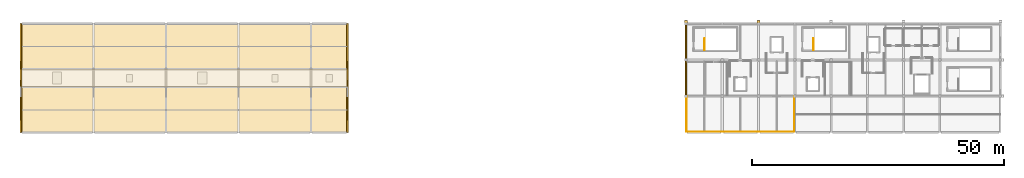
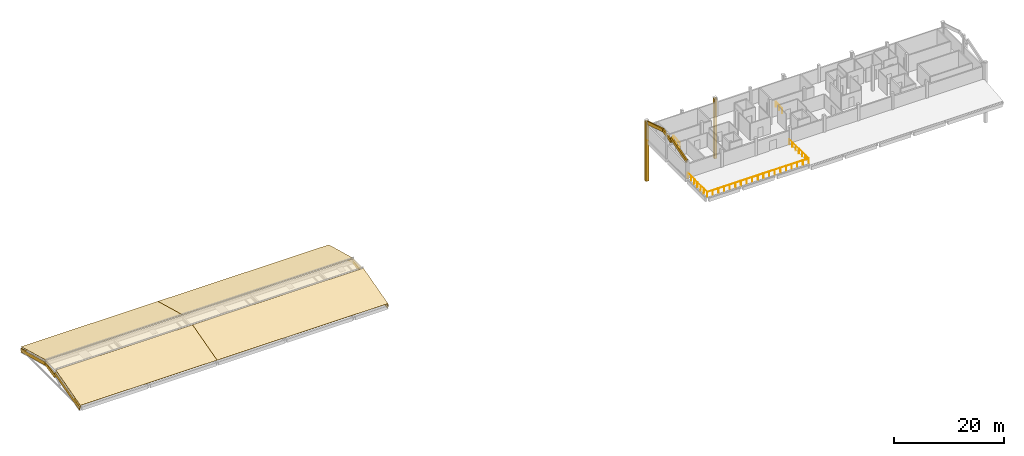
# One storey, part 7 of 8: 16 coverings, 5 railings, 2 elements without a shape of their own.
"""IFC4 building model written with IfcOpenShell, lengths in metres."""

from ifc_helpers import new_model, si_unit, direction, frame, origin, origin_2d, place, context, subcontext, project, spatial, polyline, circle, outline, extrude, material, layer, layer_set, type_object, element, aggregate, save


model = new_model("IFC4")

# Units and contexts
model_context = context("Model", 3, precision=1e-05, world=origin(), true_north=direction((0.0, 1.0)))
body_context = subcontext(model_context, "Body", "Model", "MODEL_VIEW")
ifc_project = project(units=[si_unit("LENGTHUNIT", "METRE"), si_unit("AREAUNIT", "SQUARE_METRE"), si_unit("VOLUMEUNIT", "CUBIC_METRE"), si_unit("PLANEANGLEUNIT", "RADIAN"), si_unit("MASSUNIT", "GRAM", prefix="KILO")], contexts=[model_context])

# Site, building, storey
site_placement = place(None, origin())
site = spatial("IfcSite", under=ifc_project, at=site_placement, CompositionType="ELEMENT")
building_placement = place(site_placement, origin())
building = spatial("IfcBuilding", under=site, at=building_placement, Name="Cendralis Lancet Convention Centre", CompositionType="ELEMENT")
storey_placement = place(building_placement, frame((0.0, 0.0, 24.60009765625)))
storey = spatial("IfcBuildingStorey", under=building, at=storey_placement, Name="L05", CompositionType="ELEMENT", Elevation=24.60009765625)

# Coverings
ifc_material_1 = material(Name="Warm buff sandstone chevron cassette", Category="masonry")
ifc_layer_1 = layer(ifc_material_1, 0.06005859375, Name="Warm buff sandstone chevron cassette")
ifc_layer_set_1 = layer_set([ifc_layer_1], Name="Warm buff sandstone chevron cassette")
covering_type_1 = type_object("IfcCoveringType", Name="ARC-CV-CLAD1", PredefinedType="CLADDING", material=ifc_layer_set_1)
covering_1_placement = place(storey_placement, frame((14.260009765625, 14.39990234375, -0.47998046875), z_axis=(0.0, -0.260659017614, 0.965430927895), x_axis=(1.0, 0.0, 0.0)))
element("IfcCovering", 1, at=covering_1_placement, inside=storey, type_object=covering_type_1, Name="Summit Pavilion Stone Gable Spandrel S-14", PredefinedType="CLADDING", context=body_context, shape_type="SweptSolid", body=[
    extrude(outline(polyline([(0.0, 0.0), (0.280029296875, 0.0), (0.280029296875, 9.322261945370904), (0.0, 9.322261945370904), (0.0, 0.0)])), origin(), (0.0, 0.0, -1.0), 0.75),
])
covering_2_placement = place(storey_placement, frame((14.260009765625, 23.39990234375, 1.199951171875), z_axis=(0.0, -0.203948951776, 0.978981524376), x_axis=(1.0, 0.0, 0.0)))
element("IfcCovering", 2, at=covering_2_placement, inside=storey, type_object=covering_type_1, Name="Summit Pavilion Stone Gable Spandrel M-14", PredefinedType="CLADDING", context=body_context, shape_type="SweptSolid", body=[
    extrude(outline(polyline([(0.0, 0.0), (0.280029296875, 0.0), (0.280029296875, 3.677390805249932), (0.0, 3.677390805249932), (0.0, 0.0)])), origin(), (0.0, 0.0, -1.0), 0.75),
])
for number, where, z_axis, x_axis, name in (
    (3, (14.260009765625, 27.0, 1.949951171875), (0.0, 0.260659017614, 0.965430927895), (1.0, 0.0, 0.0), "Summit Pavilion Stone Gable Spandrel N-14"),
    (4, (79.06005859375, 14.39990234375, -0.47998046875), (0.0, -0.260659017614, 0.965430927895), (1.0, 0.0, 0.0), "Summit Pavilion Stone Gable Spandrel S-79"),
):
    element("IfcCovering", number, at=place(storey_placement, frame(where, z_axis=z_axis, x_axis=x_axis)), inside=storey, type_object=covering_type_1, Name=name, PredefinedType="CLADDING", context=body_context, shape_type="SweptSolid", body=[
        extrude(outline(polyline([(0.0, 0.0), (0.280029296875, 0.0), (0.280029296875, 9.322261945370904), (0.0, 9.322261945370904), (0.0, 0.0)])), origin(), (0.0, 0.0, -1.0), 0.75),
    ])
covering_3_placement = place(storey_placement, frame((79.06005859375, 23.39990234375, 1.199951171875), z_axis=(0.0, -0.203948951776, 0.978981524376), x_axis=(1.0, 0.0, 0.0)))
element("IfcCovering", 5, at=covering_3_placement, inside=storey, type_object=covering_type_1, Name="Summit Pavilion Stone Gable Spandrel M-79", PredefinedType="CLADDING", context=body_context, shape_type="SweptSolid", body=[
    extrude(outline(polyline([(0.0, 0.0), (0.280029296875, 0.0), (0.280029296875, 3.677390805249932), (0.0, 3.677390805249932), (0.0, 0.0)])), origin(), (0.0, 0.0, -1.0), 0.75),
])
covering_4_placement = place(storey_placement, frame((79.06005859375, 27.0, 1.949951171875), z_axis=(0.0, 0.260659017614, 0.965430927895), x_axis=(1.0, 0.0, 0.0)))
element("IfcCovering", 6, at=covering_4_placement, inside=storey, type_object=covering_type_1, Name="Summit Pavilion Stone Gable Spandrel N-79", PredefinedType="CLADDING", context=body_context, shape_type="SweptSolid", body=[
    extrude(outline(polyline([(0.0, 0.0), (0.280029296875, 0.0), (0.280029296875, 9.322261945370904), (0.0, 9.322261945370904), (0.0, 0.0)])), origin(), (0.0, 0.0, -1.0), 0.75),
])
covering_5_placement = place(storey_placement, frame((146.260009765625, 21.60009765625, 3.919921875), z_axis=(0.0, -0.295031857828, 0.955487416383), x_axis=(1.0, 0.0, 0.0)))
element("IfcCovering", 7, at=covering_5_placement, inside=storey, type_object=covering_type_1, Name="Cordillera Crown Stone Gable Spandrel S-146", PredefinedType="CLADDING", context=body_context, shape_type="SweptSolid", body=[
    extrude(outline(polyline([(0.0, 0.0), (0.280029296875, 0.0), (0.280029296875, 5.965490569672753), (0.0, 5.965490569672753), (0.0, 0.0)])), origin(), (0.0, 0.0, -1.0), 0.719970703125),
])
covering_6_placement = place(storey_placement, frame((146.260009765625, 27.300048828125, 4.919921875), z_axis=(0.0, -0.245578582691, 0.969376686187), x_axis=(1.0, 0.0, 0.0)))
element("IfcCovering", 8, at=covering_6_placement, inside=storey, type_object=covering_type_1, Name="Cordillera Crown Stone Gable Spandrel M-146", PredefinedType="CLADDING", context=body_context, shape_type="SweptSolid", body=[
    extrude(outline(polyline([(0.0, 0.0), (0.280029296875, 0.0), (0.280029296875, 3.09477217963542), (0.0, 3.09477217963542), (0.0, 0.0)])), origin(), (0.0, 0.0, -1.0), 0.719970703125),
])
covering_7_placement = place(storey_placement, frame((146.260009765625, 30.300048828125, 5.679931640625), z_axis=(0.0, 0.295031857828, 0.955487416383), x_axis=(1.0, 0.0, 0.0)))
element("IfcCovering", 9, at=covering_7_placement, inside=storey, type_object=covering_type_1, Name="Cordillera Crown Stone Gable Spandrel N-146", PredefinedType="CLADDING", context=body_context, shape_type="SweptSolid", body=[
    extrude(outline(polyline([(0.0, 0.0), (0.280029296875, 0.0), (0.280029296875, 5.965490569672753), (0.0, 5.965490569672753), (0.0, 0.0)])), origin(), (0.0, 0.0, -1.0), 0.719970703125),
])
covering_8_placement = place(storey_placement, frame((0.0, 0.0, -9.60009765625)))
element("IfcCovering", 10, at=covering_8_placement, inside=storey, type_object=covering_type_1, Name="Gothic Stepped Stone Buttress Shaft #0081", PredefinedType="CLADDING", context=body_context, shape_type="SweptSolid", body=[
    extrude(outline(polyline([(146.679931640625, 36.659912109375), (146.1201171875, 36.659912109375), (146.1201171875, 36.1298828125), (146.679931640625, 36.1298828125), (146.679931640625, 36.659912109375)])), origin(), (0.0, 0.0, 1.0), 13.35009765625),
])
covering_9_placement = place(storey_placement, frame((0.0, 0.0, -9.60009765625)))
element("IfcCovering", 11, at=covering_9_placement, inside=storey, type_object=covering_type_1, Name="Gothic Stepped Stone Buttress Shaft #0082", PredefinedType="CLADDING", context=body_context, shape_type="SweptSolid", body=[
    extrude(outline(polyline([(161.080078125, 36.659912109375), (160.52001953125, 36.659912109375), (160.52001953125, 36.1298828125), (161.080078125, 36.1298828125), (161.080078125, 36.659912109375)])), origin(), (0.0, 0.0, 1.0), 13.35009765625),
])
ifc_material_2 = material(Name="Elastomeric waterproof roof membrane")
ifc_layer_2 = layer(ifc_material_2, 0.050048828125, Name="Elastomeric waterproof roof membrane")
ifc_layer_set_2 = layer_set([ifc_layer_2], Name="Elastomeric waterproof roof membrane")
covering_type_2 = type_object("IfcCoveringType", Name="ARC-CV-MEMB", PredefinedType="ROOFING", material=ifc_layer_set_2)
covering_10_placement = place(storey_placement, frame((0.0, 0.0, 2.199951171875)))
element("IfcCovering", 12, at=covering_10_placement, inside=storey, type_object=covering_type_2, Name="L05 Elastomeric Roof Membrane V4TOP", PredefinedType="ROOFING", context=body_context, shape_type="SweptSolid", body=[
    extrude(outline(polyline([(14.39990234375, 23.39990234375), (79.199951171875, 23.39990234375), (79.199951171875, 27.0), (14.39990234375, 27.0), (14.39990234375, 23.39990234375)])), origin(), (0.0, 0.0, 1.0), 0.0400390625),
])

# Roof, coverings
ifc_material_3 = material(Name="Patinated standing-seam zinc roofing")
ifc_layer_3 = layer(ifc_material_3, 0.139892578125, Name="Patinated standing-seam zinc roofing")
ifc_layer_set_3 = layer_set([ifc_layer_3], Name="Patinated standing-seam zinc roofing")
roof_type = type_object("IfcRoofType", Name="ARC-RF-HIP", PredefinedType="HIP_ROOF", material=ifc_layer_set_3)
roof_1_placement = place(storey_placement, origin())
roof_1 = element("IfcRoof", 13, at=roof_1_placement, inside=storey, type_object=roof_type, Name="Summit Pavilion Gothic Pitched Zinc Roof #01", PredefinedType="HIP_ROOF")
ifc_layer_4 = layer(ifc_material_3, 0.0400390625, Name="Patinated standing-seam zinc roofing")
ifc_layer_set_4 = layer_set([ifc_layer_4], Name="Patinated standing-seam zinc roofing")
covering_type_3 = type_object("IfcCoveringType", Name="ARC-CV-ZINC", PredefinedType="ROOFING", material=ifc_layer_set_4)
covering_11_placement = place(storey_placement, frame((14.39990234375, 14.39990234375, -0.12353515625), z_axis=(0.0, -0.263203959099, 0.964740211619), x_axis=(1.0, 0.0, 0.0)))
covering_11 = element("IfcCovering", 14, at=covering_11_placement, type_object=covering_type_3, Name="Summit Pavilion Standing-Seam Zinc Roofing 01-S", PredefinedType="ROOFING", context=body_context, shape_type="SweptSolid", body=[
    extrude(outline(polyline([(0.0, 0.0), (28.800048828125, 0.0), (28.800048828125, 9.308185105792813), (0.0, 9.308185105792813), (0.0, 0.0)])), origin(), (0.0, 0.0, -1.0), 0.0400390625),
])
covering_12_placement = place(storey_placement, frame((14.39990234375, 27.02001953125, 2.326416015625), z_axis=(0.0, 0.263203959099, 0.964740211619), x_axis=(1.0, 0.0, 0.0)))
covering_12 = element("IfcCovering", 15, at=covering_12_placement, type_object=covering_type_3, Name="Summit Pavilion Standing-Seam Zinc Roofing 01-N", PredefinedType="ROOFING", context=body_context, shape_type="SweptSolid", body=[
    extrude(outline(polyline([(0.0, 0.0), (28.800048828125, 0.0), (28.800048828125, 9.308185105792813), (0.0, 9.308185105792813), (0.0, 0.0)])), origin(), (0.0, 0.0, -1.0), 0.0400390625),
])
aggregate(roof_1, [covering_11, covering_12])

roof_2_placement = place(storey_placement, origin())
roof_2 = element("IfcRoof", 16, at=roof_2_placement, inside=storey, type_object=roof_type, Name="Summit Pavilion Gothic Pitched Zinc Roof #02", PredefinedType="HIP_ROOF")
covering_13_placement = place(storey_placement, frame((43.199951171875, 14.39990234375, -0.12353515625), z_axis=(0.0, -0.263203959099, 0.964740211619), x_axis=(1.0, 0.0, 0.0)))
covering_13 = element("IfcCovering", 17, at=covering_13_placement, type_object=covering_type_3, Name="Summit Pavilion Standing-Seam Zinc Roofing 02-S", PredefinedType="ROOFING", context=body_context, shape_type="SweptSolid", body=[
    extrude(outline(polyline([(0.0, 0.0), (36.0, 0.0), (36.0, 9.308185105792813), (0.0, 9.308185105792813), (0.0, 0.0)])), origin(), (0.0, 0.0, -1.0), 0.0400390625),
])
covering_14_placement = place(storey_placement, frame((43.199951171875, 27.02001953125, 2.326416015625), z_axis=(0.0, 0.263203959099, 0.964740211619), x_axis=(1.0, 0.0, 0.0)))
covering_14 = element("IfcCovering", 18, at=covering_14_placement, type_object=covering_type_3, Name="Summit Pavilion Standing-Seam Zinc Roofing 02-N", PredefinedType="ROOFING", context=body_context, shape_type="SweptSolid", body=[
    extrude(outline(polyline([(0.0, 0.0), (36.0, 0.0), (36.0, 9.308185105792813), (0.0, 9.308185105792813), (0.0, 0.0)])), origin(), (0.0, 0.0, -1.0), 0.0400390625),
])
aggregate(roof_2, [covering_13, covering_14])

# Railings
ifc_material_4 = material(Name="Anodised bronze architectural aluminium", Category="aluminium")
railing_type_1 = type_object("IfcRailingType", Name="ARC-RL-BL01", PredefinedType="BALUSTRADE", material=ifc_material_4)
railing_1_placement = place(storey_placement, frame((146.52001953125, 21.550048828125, 0.0)))
element("IfcRailing", 19, at=railing_1_placement, inside=storey, type_object=railing_type_1, Name="L05 Terrace Guard BL-01 #09-1", PredefinedType="BALUSTRADE", context=body_context, shape_type="SweptSolid", body=[
    extrude(circle(Radius=0.02392578125, at=origin_2d()), frame((0.0, 0.0, 1.076171875), z_axis=(0.0, -1.0, 0.0), x_axis=(1.0, 0.0, 0.0)), (0.0, 0.0, 1.0), 7.030029296875),
    extrude(circle(Radius=0.02099609375, at=origin_2d()), origin(), (0.0, 0.0, 1.0), 1.052001953125),
    extrude(circle(Radius=0.02099609375, at=origin_2d()), frame((0.0, -1.171630859375, 0.0)), (0.0, 0.0, 1.0), 1.052001953125),
    extrude(circle(Radius=0.02099609375, at=origin_2d()), frame((0.0, -2.34326171875, 0.0)), (0.0, 0.0, 1.0), 1.052001953125),
    extrude(circle(Radius=0.02099609375, at=origin_2d()), frame((0.0, -3.51513671875, 0.0)), (0.0, 0.0, 1.0), 1.052001953125),
    extrude(circle(Radius=0.02099609375, at=origin_2d()), frame((0.0, -4.686767578125, 0.0)), (0.0, 0.0, 1.0), 1.052001953125),
    extrude(circle(Radius=0.02099609375, at=origin_2d()), frame((0.0, -5.8583984375, 0.0)), (0.0, 0.0, 1.0), 1.052001953125),
    extrude(circle(Radius=0.02099609375, at=origin_2d()), frame((0.0, -7.030029296875, 0.0)), (0.0, 0.0, 1.0), 1.052001953125),
])
railing_2_placement = place(storey_placement, frame((146.52001953125, 14.52001953125, 0.0)))
element("IfcRailing", 20, at=railing_2_placement, inside=storey, type_object=railing_type_1, Name="L05 Terrace Guard BL-01 #09-2", PredefinedType="BALUSTRADE", context=body_context, shape_type="SweptSolid", body=[
    extrude(circle(Radius=0.02392578125, at=origin_2d()), frame((0.0, 0.0, 1.076171875), z_axis=(1.0, 0.0, 0.0), x_axis=(0.0, 1.0, 0.0)), (0.0, 0.0, 1.0), 21.35986328125),
    extrude(circle(Radius=0.02099609375, at=origin_2d()), origin(), (0.0, 0.0, 1.0), 1.052001953125),
    extrude(circle(Radius=0.02099609375, at=origin_2d()), frame((1.186767578125, 0.0, 0.0)), (0.0, 0.0, 1.0), 1.052001953125),
    extrude(circle(Radius=0.02099609375, at=origin_2d()), frame((2.373291015625, 0.0, 0.0)), (0.0, 0.0, 1.0), 1.052001953125),
    extrude(circle(Radius=0.02099609375, at=origin_2d()), frame((3.56005859375, 0.0, 0.0)), (0.0, 0.0, 1.0), 1.052001953125),
    extrude(circle(Radius=0.02099609375, at=origin_2d()), frame((4.74658203125, 0.0, 0.0)), (0.0, 0.0, 1.0), 1.052001953125),
    extrude(circle(Radius=0.02099609375, at=origin_2d()), frame((5.933349609375, 0.0, 0.0)), (0.0, 0.0, 1.0), 1.052001953125),
    extrude(circle(Radius=0.02099609375, at=origin_2d()), frame((7.119873046875, 0.0, 0.0)), (0.0, 0.0, 1.0), 1.052001953125),
    extrude(circle(Radius=0.02099609375, at=origin_2d()), frame((8.306640625, 0.0, 0.0)), (0.0, 0.0, 1.0), 1.052001953125),
    extrude(circle(Radius=0.02099609375, at=origin_2d()), frame((9.4931640625, 0.0, 0.0)), (0.0, 0.0, 1.0), 1.052001953125),
    extrude(circle(Radius=0.02099609375, at=origin_2d()), frame((10.679931640625, 0.0, 0.0)), (0.0, 0.0, 1.0), 1.052001953125),
    extrude(circle(Radius=0.02099609375, at=origin_2d()), frame((11.86669921875, 0.0, 0.0)), (0.0, 0.0, 1.0), 1.052001953125),
    extrude(circle(Radius=0.02099609375, at=origin_2d()), frame((13.05322265625, 0.0, 0.0)), (0.0, 0.0, 1.0), 1.052001953125),
    extrude(circle(Radius=0.02099609375, at=origin_2d()), frame((14.239990234375, 0.0, 0.0)), (0.0, 0.0, 1.0), 1.052001953125),
    extrude(circle(Radius=0.02099609375, at=origin_2d()), frame((15.426513671875, 0.0, 0.0)), (0.0, 0.0, 1.0), 1.052001953125),
    extrude(circle(Radius=0.02099609375, at=origin_2d()), frame((16.61328125, 0.0, 0.0)), (0.0, 0.0, 1.0), 1.052001953125),
    extrude(circle(Radius=0.02099609375, at=origin_2d()), frame((17.7998046875, 0.0, 0.0)), (0.0, 0.0, 1.0), 1.052001953125),
    extrude(circle(Radius=0.02099609375, at=origin_2d()), frame((18.986572265625, 0.0, 0.0)), (0.0, 0.0, 1.0), 1.052001953125),
    extrude(circle(Radius=0.02099609375, at=origin_2d()), frame((20.173095703125, 0.0, 0.0)), (0.0, 0.0, 1.0), 1.052001953125),
    extrude(circle(Radius=0.02099609375, at=origin_2d()), frame((21.35986328125, 0.0, 0.0)), (0.0, 0.0, 1.0), 1.052001953125),
])
railing_3_placement = place(storey_placement, frame((167.8798828125, 14.52001953125, 0.0)))
element("IfcRailing", 21, at=railing_3_placement, inside=storey, type_object=railing_type_1, Name="L05 Terrace Guard BL-01 #09-3", PredefinedType="BALUSTRADE", context=body_context, shape_type="SweptSolid", body=[
    extrude(circle(Radius=0.02392578125, at=origin_2d()), frame((0.0, 0.0, 1.076171875), z_axis=(0.0, 1.0, 0.0), x_axis=(-1.0, 0.0, 0.0)), (0.0, 0.0, 1.0), 7.030029296875),
    extrude(circle(Radius=0.02099609375, at=origin_2d()), origin(), (0.0, 0.0, 1.0), 1.052001953125),
    extrude(circle(Radius=0.02099609375, at=origin_2d()), frame((0.0, 1.171630859375, 0.0)), (0.0, 0.0, 1.0), 1.052001953125),
    extrude(circle(Radius=0.02099609375, at=origin_2d()), frame((0.0, 2.34326171875, 0.0)), (0.0, 0.0, 1.0), 1.052001953125),
    extrude(circle(Radius=0.02099609375, at=origin_2d()), frame((0.0, 3.51513671875, 0.0)), (0.0, 0.0, 1.0), 1.052001953125),
    extrude(circle(Radius=0.02099609375, at=origin_2d()), frame((0.0, 4.686767578125, 0.0)), (0.0, 0.0, 1.0), 1.052001953125),
    extrude(circle(Radius=0.02099609375, at=origin_2d()), frame((0.0, 5.8583984375, 0.0)), (0.0, 0.0, 1.0), 1.052001953125),
    extrude(circle(Radius=0.02099609375, at=origin_2d()), frame((0.0, 7.030029296875, 0.0)), (0.0, 0.0, 1.0), 1.052001953125),
])
ifc_material_5 = material(Name="Steel S355", Category="steel")
railing_type_2 = type_object("IfcRailingType", Name="ARC-RL-CGD", PredefinedType="GUARDRAIL", material=ifc_material_5)
for number, where, name in (
    (22, (150.10009765625, 30.75, 0.0), "L05 ST-13 top well guard 1"),
    (23, (171.699951171875, 30.75, 0.0), "L05 ST-14 top well guard 1"),
):
    element("IfcRailing", number, at=place(storey_placement, frame(where)), inside=storey, type_object=railing_type_2, Name=name, PredefinedType="GUARDRAIL", context=body_context, shape_type="SweptSolid", body=[
        extrude(circle(Radius=0.02392578125, at=origin_2d()), frame((0.0, 0.0, 1.076171875), z_axis=(0.0, 1.0, 0.0), x_axis=(-1.0, 0.0, 0.0)), (0.0, 0.0, 1.0), 2.280029296875),
        extrude(circle(Radius=0.02099609375, at=origin_2d()), origin(), (0.0, 0.0, 1.0), 1.052001953125),
        extrude(circle(Radius=0.02099609375, at=origin_2d()), frame((0.0, 1.14013671875, 0.0)), (0.0, 0.0, 1.0), 1.052001953125),
        extrude(circle(Radius=0.02099609375, at=origin_2d()), frame((0.0, 2.280029296875, 0.0)), (0.0, 0.0, 1.0), 1.052001953125),
    ])

save(model, "model.ifc")
